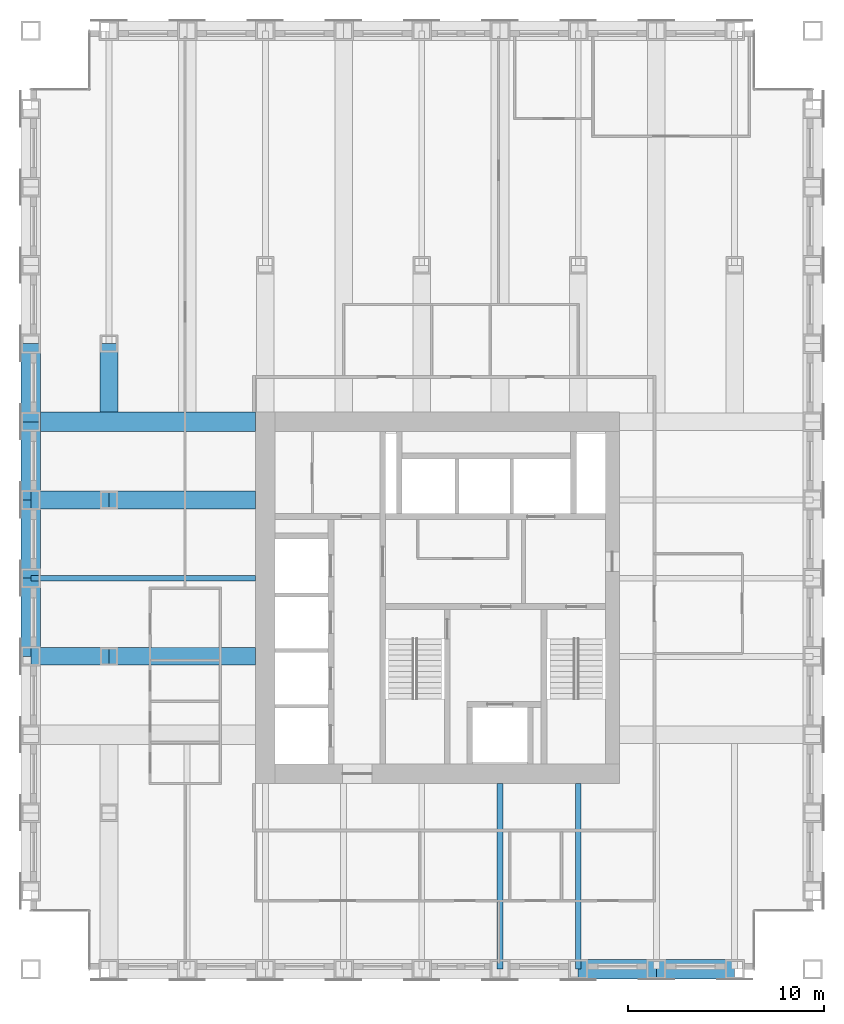
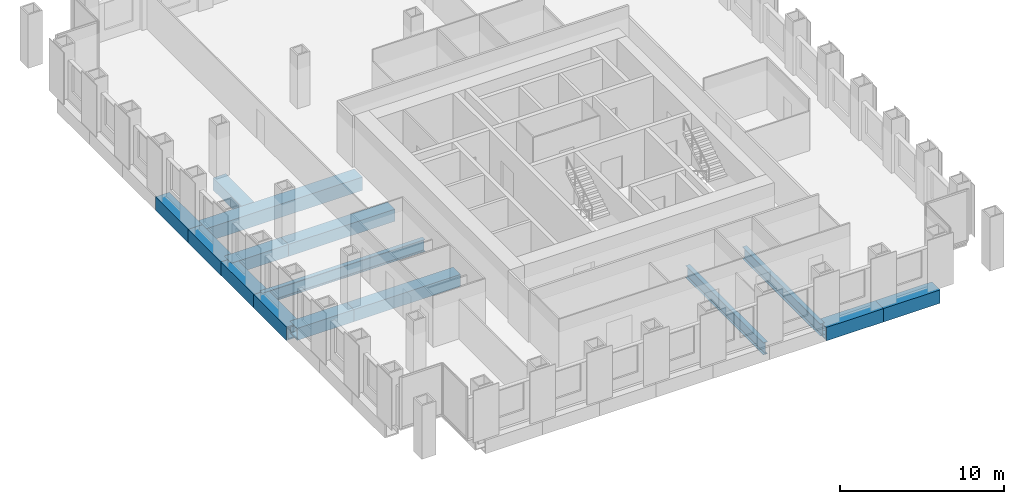
# One storey, part 3 of 13: 15 beams.
"""IFC4 building model written with IfcOpenShell, lengths in metres."""

import ifcopenshell
import ifcopenshell.guid

model = None  # the IFC model being written
_history = None  # IfcOwnerHistory: only IFC2X3 demands one
_inside = {}  # id of a spatial element -> (the spatial element, [elements in it])
_under = {}  # id of a project, library or spatial element -> (it, [spatial elements below it])
_declared = {}  # id of a project -> (the project, [libraries it declares])
_typed = {}  # id of a type object -> (the type object, [elements of that type])
_made_of = {}  # id of a material, layer set ... -> (it, [elements and type objects made of it])


def new_model(schema):
    """Start an empty IFC model of exactly this schema.

    Asked for "IFC4X3", IfcOpenShell would pick the latest addendum, in which some entities
    have other attributes; the version numbers below select the first issue.
    IFC2X3 requires an IfcOwnerHistory on every rooted entity: one is made here for all.
    """
    global model, _history
    if schema == "IFC4X3":
        model = ifcopenshell.file(schema_version=(4, 3, 0, 0))
    else:
        model = ifcopenshell.file(schema=schema)
    _inside.clear()
    _under.clear()
    _declared.clear()
    _typed.clear()
    _made_of.clear()
    _history = None
    if model.schema == "IFC2X3":
        org = make("IfcOrganization", Name="unknown")
        user = make(
            "IfcPersonAndOrganization",
            ThePerson=make("IfcPerson", FamilyName="unknown"),
            TheOrganization=org,
        )
        app = make(
            "IfcApplication",
            ApplicationDeveloper=org,
            Version="unknown",
            ApplicationFullName="unknown",
            ApplicationIdentifier="unknown",
        )
        _history = make(
            "IfcOwnerHistory",
            OwningUser=user,
            OwningApplication=app,
            ChangeAction="ADDED",
            CreationDate=0,
        )
    return model


def make(cls, **values):
    """One entity of the class cls with the attributes given. An attribute that is None is left unset."""
    return model.create_entity(
        cls, **{name: value for name, value in values.items() if value is not None}
    )


def rooted(cls, **values):
    """An entity with a GlobalId (a new one), such as an element, a storey or a relation."""
    return make(cls, GlobalId=ifcopenshell.guid.new(), OwnerHistory=_history, **values)


def si_unit(unit_type, name, prefix=None):
    """IfcSIUnit, for example si_unit("LENGTHUNIT", "METRE", prefix="MILLI")."""
    return make("IfcSIUnit", UnitType=unit_type, Prefix=prefix, Name=name)


def assignment(units):
    """IfcUnitAssignment: the units of a project."""
    return None if units is None else make("IfcUnitAssignment", Units=units)


def point(xyz):
    """IfcCartesianPoint."""
    return None if xyz is None else make("IfcCartesianPoint", Coordinates=xyz)


def direction(xyz):
    """IfcDirection."""
    return None if xyz is None else make("IfcDirection", DirectionRatios=xyz)


def frame(location, z_axis=None, x_axis=None):
    """IfcAxis2Placement3D, a coordinate frame: its origin and axes. An axis left out is left unset."""
    return make(
        "IfcAxis2Placement3D",
        Location=point(location),
        Axis=direction(z_axis),
        RefDirection=direction(x_axis),
    )


def frame_2d(location, x_axis=None):
    """IfcAxis2Placement2D, a coordinate frame in the plane: its origin and x axis."""
    return make(
        "IfcAxis2Placement2D", Location=point(location), RefDirection=direction(x_axis)
    )


def origin():
    """The frame at (0, 0, 0) with its axes left unset."""
    return frame((0.0, 0.0, 0.0))


def origin_2d():
    """The frame at (0, 0) in the plane with its x axis left unset."""
    return frame_2d((0.0, 0.0))


def place(relative_to, where):
    """IfcLocalPlacement: puts the frame where relative to a parent placement (None: the world)."""
    return make(
        "IfcLocalPlacement", PlacementRelTo=relative_to, RelativePlacement=where
    )


def context(
    kind, dimensions, precision=None, world=None, true_north=None, identifier=None
):
    """IfcGeometricRepresentationContext, for example the 3D "Model" context."""
    return make(
        "IfcGeometricRepresentationContext",
        ContextIdentifier=identifier,
        ContextType=kind,
        CoordinateSpaceDimension=dimensions,
        Precision=precision,
        WorldCoordinateSystem=world,
        TrueNorth=true_north,
    )


def subcontext(parent, identifier, kind, view, scale=None):
    """IfcGeometricRepresentationSubContext, for example "Body" below "Model"."""
    return make(
        "IfcGeometricRepresentationSubContext",
        ContextIdentifier=identifier,
        ContextType=kind,
        ParentContext=parent,
        TargetScale=scale,
        TargetView=view,
    )


def project(units=None, contexts=None):
    """IfcProject with its units and contexts."""
    return rooted(
        "IfcProject",
        Name="project",
        RepresentationContexts=contexts,
        UnitsInContext=assignment(units),
    )


def spatial(cls, under=None, at=None, **own):
    """A site, building, storey or space (cls), placed at a placement, below another one or the project."""
    s = rooted(cls, ObjectPlacement=at, **own)
    if under is not None:
        _under.setdefault(under.id(), (under, []))[1].append(s)
    return s


def profile(cls, at=None, kind="AREA", **sizes):
    """A parametric profile (cls). Its sizes go by their IFC names, for example OverallWidth=200.0."""
    return make(cls, ProfileType=kind, Position=at, **sizes)


def hollow_rectangle(**sizes):
    """IfcRectangleHollowProfileDef."""
    return profile("IfcRectangleHollowProfileDef", **sizes)


def i_section(**sizes):
    """IfcIShapeProfileDef."""
    return profile("IfcIShapeProfileDef", **sizes)


def extrude(swept, where, along, depth):
    """IfcExtrudedAreaSolid: the profile swept, set in the frame where, extruded along a direction by depth."""
    return make(
        "IfcExtrudedAreaSolid",
        SweptArea=swept,
        Position=where,
        ExtrudedDirection=direction(along),
        Depth=depth,
    )


def shape(context_of_items, identifier, shape_type, items):
    """IfcShapeRepresentation: the items that make up one representation, for example the "Body"."""
    return make(
        "IfcShapeRepresentation",
        ContextOfItems=context_of_items,
        RepresentationIdentifier=identifier,
        RepresentationType=shape_type,
        Items=items,
    )


def material(Name=None, Category=None):
    """IfcMaterial."""
    return make("IfcMaterial", Name=Name, Category=Category)


def material_profile(
    of_material, cross_section, Name=None, Category=None, Priority=None
):
    """IfcMaterialProfile: a cross section and its material."""
    return make(
        "IfcMaterialProfile",
        Name=Name,
        Material=of_material,
        Profile=cross_section,
        Priority=Priority,
        Category=Category,
    )


def profile_set(profiles, Name=None, composite=None):
    """IfcMaterialProfileSet."""
    return make(
        "IfcMaterialProfileSet",
        Name=Name,
        MaterialProfiles=profiles,
        CompositeProfile=composite,
    )


def made_of(thing, what):
    """Note that an element or type object is made of a material, layer set ...; save() writes the relation."""
    if what is not None:
        _made_of.setdefault(what.id(), (what, []))[1].append(thing)
    return thing


def type_object(cls, material=None, **own):
    """A type object (cls), such as IfcWallType, which elements share."""
    return made_of(rooted(cls, **own), material)


def element(
    cls,
    number,
    at=None,
    inside=None,
    cuts=None,
    type_object=None,
    material=None,
    context=None,
    identifier="Body",
    shape_type=None,
    held_by="IfcProductDefinitionShape",
    body=None,
    shapes=None,
    **own,
):
    """One element of the class cls, such as IfcWall. Its Tag is "e" and its number.

    at: its placement. inside: the storey or other place that contains it. cuts: it is an
    opening in that element (IfcRelVoidsElement). A single representation is given by context,
    identifier, shape_type and body (its items); several are given by shapes. held_by: the class
    of the entity that holds the representations. save() writes the other relations.
    """
    e = rooted(cls, Tag="e%d" % number, ObjectPlacement=at, **own)
    if body is not None:
        shapes = [shape(context, identifier, shape_type, body)]
    if shapes is not None:
        e.Representation = make(held_by, Representations=shapes)
    if inside is not None:
        _inside.setdefault(inside.id(), (inside, []))[1].append(e)
    if cuts is not None:
        rooted(
            "IfcRelVoidsElement", RelatingBuildingElement=cuts, RelatedOpeningElement=e
        )
    if type_object is not None:
        _typed.setdefault(type_object.id(), (type_object, []))[1].append(e)
    return made_of(e, material)


def aggregate(whole, parts):
    """IfcRelAggregates: a whole, such as a stair, and the parts it consists of."""
    return rooted("IfcRelAggregates", RelatingObject=whole, RelatedObjects=parts)


def save(model, path):
    """Write the relations noted so far, then the file.

    IfcRelAggregates (storeys below a building ...), IfcRelContainedInSpatialStructure (elements
    in a storey), IfcRelDefinesByType, IfcRelAssociatesMaterial and IfcRelDeclares: one each for
    every whole, place, type object, material and project.
    """
    for whole, parts in _under.values():
        aggregate(whole, parts)
    for where, things in _inside.values():
        rooted(
            "IfcRelContainedInSpatialStructure",
            RelatedElements=things,
            RelatingStructure=where,
        )
    for kind, things in _typed.values():
        rooted("IfcRelDefinesByType", RelatedObjects=things, RelatingType=kind)
    for what, things in _made_of.values():
        rooted("IfcRelAssociatesMaterial", RelatedObjects=things, RelatingMaterial=what)
    for by, libraries in _declared.values():
        rooted("IfcRelDeclares", RelatingContext=by, RelatedDefinitions=libraries)
    model.write(path)


model = new_model("IFC4")

# Units and contexts
model_context = context("Model", 3, precision=1e-05, world=origin(), true_north=direction((0.0, 1.0)))
body_context = subcontext(model_context, "Body", "Model", "MODEL_VIEW")
ifc_project = project(units=[si_unit("LENGTHUNIT", "METRE"), si_unit("AREAUNIT", "SQUARE_METRE"), si_unit("VOLUMEUNIT", "CUBIC_METRE"), si_unit("PLANEANGLEUNIT", "RADIAN"), si_unit("MASSUNIT", "GRAM", prefix="KILO")], contexts=[model_context])

# Site, building, storey
site_placement = place(None, origin())
site = spatial("IfcSite", under=ifc_project, at=site_placement, CompositionType="ELEMENT")
building_placement = place(site_placement, origin())
building = spatial("IfcBuilding", under=site, at=building_placement, Name="Rimbunsela Tower", CompositionType="ELEMENT")
storey_placement = place(building_placement, frame((0.0, 0.0, 191.800048828125)))
storey = spatial("IfcBuildingStorey", under=building, at=storey_placement, Name="L46", CompositionType="ELEMENT", Elevation=191.800048828125)

# Beams
ifc_material_1 = material(Name="Steel BJ 55 (fy 410 MPa)", Category="steel")
ifc_material_profile_1 = material_profile(ifc_material_1, hollow_rectangle(XDim=1.0, YDim=1.0, WallThickness=0.10009765625, at=origin_2d()), Name="BOX 1000x1000x100")
ifc_profile_set_1 = profile_set([ifc_material_profile_1], Name="Steel BJ 55 (fy 410 MPa)")
beam_type_1 = type_object("IfcBeamType", Name="Beam BOX 1000x1000x100", PredefinedType="BEAM", material=ifc_profile_set_1)
for number, where, z_axis, x_axis, name in (
    (1, (6.0, 24.0, -0.650146484375), (0.0, 1.0, 0.0), (-1.0, 0.0, 0.0), "Beam B3 L46"),
    (2, (6.0, 28.0, -0.650146484375), (0.0, 1.0, 0.0), (-1.0, 0.0, 0.0), "Beam B3 L46"),
    (3, (6.0, 32.0, -0.650146484375), (0.0, 1.0, 0.0), (-1.0, 0.0, 0.0), "Beam B3 L46"),
    (4, (6.0, 36.0, -0.650146484375), (0.0, 1.0, 0.0), (-1.0, 0.0, 0.0), "Beam B3 L46"),
):
    element("IfcBeam", number, at=place(storey_placement, frame(where, z_axis=z_axis, x_axis=x_axis)), inside=storey, type_object=beam_type_1, Name=name, PredefinedType="BEAM", context=body_context, shape_type="SweptSolid", body=[
        extrude(hollow_rectangle(XDim=1.0, YDim=1.0, WallThickness=0.10009765625, at=origin_2d()), origin(), (0.0, 0.0, 1.0), 4.0),
    ])
beam_1_placement = place(storey_placement, frame((6.0, 36.0, -0.650146484375), z_axis=(1.0, 0.0, 0.0), x_axis=(0.0, 1.0, 0.0)))
element("IfcBeam", 5, at=beam_1_placement, inside=storey, type_object=beam_type_1, Name="Beam B3 L46", PredefinedType="BEAM", context=body_context, shape_type="SweptSolid", body=[
    extrude(hollow_rectangle(XDim=1.0, YDim=1.0, WallThickness=0.10009765625, at=origin_2d()), origin(), (0.0, 0.0, 1.0), 11.5),
])
for number, where, z_axis, x_axis, name in (
    (6, (34.0, 8.0, -0.650146484375), (1.0, 0.0, 0.0), (0.0, 1.0, 0.0), "Beam B3 L46"),
    (7, (38.0, 8.0, -0.650146484375), (1.0, 0.0, 0.0), (0.0, 1.0, 0.0), "Beam B3 L46"),
):
    element("IfcBeam", number, at=place(storey_placement, frame(where, z_axis=z_axis, x_axis=x_axis)), inside=storey, type_object=beam_type_1, Name=name, PredefinedType="BEAM", context=body_context, shape_type="SweptSolid", body=[
        extrude(hollow_rectangle(XDim=1.0, YDim=1.0, WallThickness=0.10009765625, at=origin_2d()), origin(), (0.0, 0.0, 1.0), 4.0),
    ])
ifc_material_2 = material(Name="Steel BJ 55 (fy 410 MPa)", Category="steel")
ifc_material_profile_2 = material_profile(ifc_material_2, hollow_rectangle(XDim=0.89990234375, YDim=0.89990234375, WallThickness=0.06005859375, at=origin_2d()), Name="BOX 900x900x60")
ifc_profile_set_2 = profile_set([ifc_material_profile_2], Name="Steel BJ 55 (fy 410 MPa)")
beam_type_2 = type_object("IfcBeamType", Name="Beam BOX 900x900x60", PredefinedType="BEAM", material=ifc_profile_set_2)
for number, where, z_axis, x_axis, name in (
    (8, (6.0, 24.0, -0.60009765625), (1.0, 0.0, 0.0), (0.0, 1.0, 0.0), "Beam B1 L46"),
    (9, (6.0, 32.0, -0.60009765625), (1.0, 0.0, 0.0), (0.0, 1.0, 0.0), "Beam B1 L46"),
):
    element("IfcBeam", number, at=place(storey_placement, frame(where, z_axis=z_axis, x_axis=x_axis)), inside=storey, type_object=beam_type_2, Name=name, PredefinedType="BEAM", context=body_context, shape_type="SweptSolid", body=[
        extrude(hollow_rectangle(XDim=0.89990234375, YDim=0.89990234375, WallThickness=0.06005859375, at=origin_2d()), origin(), (0.0, 0.0, 1.0), 4.0),
    ])
for number, where, z_axis, x_axis, name in (
    (10, (10.0, 24.0, -0.60009765625), (1.0, 0.0, 0.0), (0.0, 1.0, 0.0), "Beam B1 L46"),
    (11, (10.0, 32.0, -0.60009765625), (1.0, 0.0, 0.0), (0.0, 1.0, 0.0), "Beam B1 L46"),
):
    element("IfcBeam", number, at=place(storey_placement, frame(where, z_axis=z_axis, x_axis=x_axis)), inside=storey, type_object=beam_type_2, Name=name, PredefinedType="BEAM", context=body_context, shape_type="SweptSolid", body=[
        extrude(hollow_rectangle(XDim=0.89990234375, YDim=0.89990234375, WallThickness=0.06005859375, at=origin_2d()), origin(), (0.0, 0.0, 1.0), 7.5),
    ])
beam_2_placement = place(storey_placement, frame((10.0, 36.5, -0.60009765625), z_axis=(0.0, 1.0, 0.0), x_axis=(-1.0, 0.0, 0.0)))
element("IfcBeam", 12, at=beam_2_placement, inside=storey, type_object=beam_type_2, Name="Beam B1 L46", PredefinedType="BEAM", context=body_context, shape_type="SweptSolid", body=[
    extrude(hollow_rectangle(XDim=0.89990234375, YDim=0.89990234375, WallThickness=0.06005859375, at=origin_2d()), origin(), (0.0, 0.0, 1.0), 3.5),
])
ifc_material_3 = material(Name="Steel BJ 55 (fy 410 MPa)", Category="steel")
ifc_material_profile_3 = material_profile(ifc_material_3, i_section(OverallWidth=0.300048828125, OverallDepth=0.89990234375, WebThickness=0.01611328125, FlangeThickness=0.028076171875, FilletRadius=0.028076171875, at=origin_2d()), Name="H 900x300x16x28")
ifc_profile_set_3 = profile_set([ifc_material_profile_3], Name="Steel BJ 55 (fy 410 MPa)")
beam_type_3 = type_object("IfcBeamType", Name="Beam H 900x300x16x28", PredefinedType="BEAM", material=ifc_profile_set_3)
beam_3_placement = place(storey_placement, frame((6.0, 28.0, -0.60009765625), z_axis=(1.0, 0.0, 0.0), x_axis=(0.0, 1.0, 0.0)))
element("IfcBeam", 13, at=beam_3_placement, inside=storey, type_object=beam_type_3, Name="Beam B2 L46", PredefinedType="BEAM", context=body_context, shape_type="SweptSolid", body=[
    extrude(i_section(OverallWidth=0.300048828125, OverallDepth=0.89990234375, WebThickness=0.01611328125, FlangeThickness=0.028076171875, FilletRadius=0.028076171875, at=origin_2d()), origin(), (0.0, 0.0, 1.0), 11.5),
])
for number, where, z_axis, x_axis, name in (
    (14, (30.0, 8.0, -0.60009765625), (0.0, 1.0, 0.0), (-1.0, 0.0, 0.0), "Beam B2 L46"),
    (15, (34.0, 8.0, -0.60009765625), (0.0, 1.0, 0.0), (-1.0, 0.0, 0.0), "Beam B2 L46"),
):
    element("IfcBeam", number, at=place(storey_placement, frame(where, z_axis=z_axis, x_axis=x_axis)), inside=storey, type_object=beam_type_3, Name=name, PredefinedType="BEAM", context=body_context, shape_type="SweptSolid", body=[
        extrude(i_section(OverallWidth=0.300048828125, OverallDepth=0.89990234375, WebThickness=0.01611328125, FlangeThickness=0.028076171875, FilletRadius=0.028076171875, at=origin_2d()), origin(), (0.0, 0.0, 1.0), 9.5),
    ])

save(model, "model.ifc")
